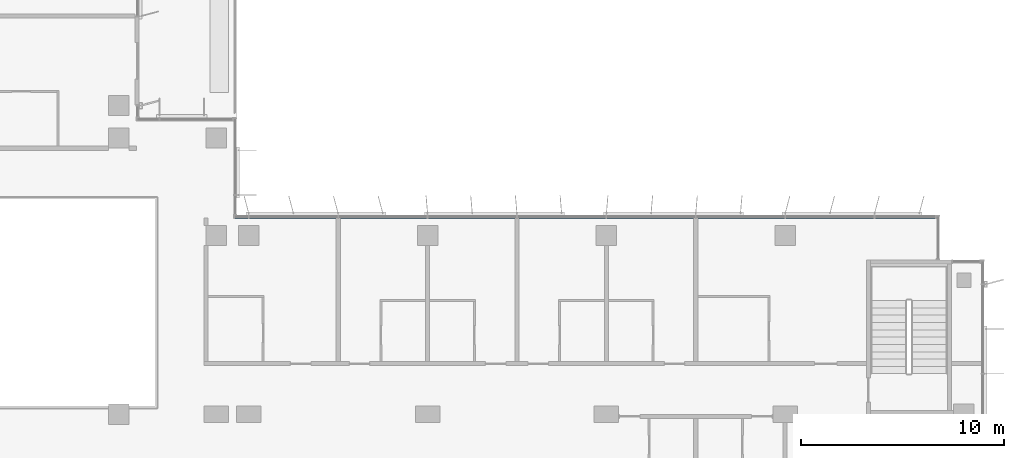
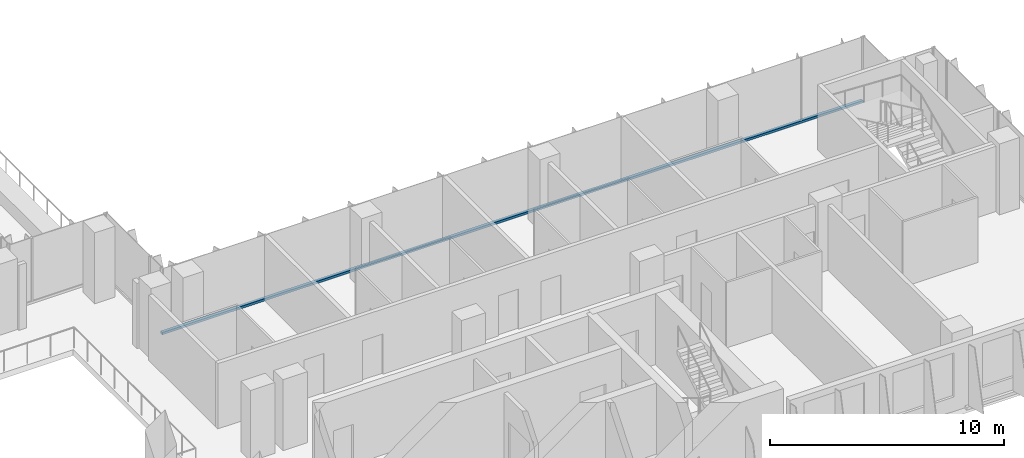
# One storey, part 3 of 22: 1 member, 1 element without a shape of its own.
"""IFC4 building model written with IfcOpenShell, lengths in metres."""

from ifc_helpers import new_model, si_unit, direction, frame, origin, origin_2d, place, context, subcontext, project, spatial, rectangle, extrude, material, material_profile, profile_set, type_object, element, aggregate, save


model = new_model("IFC4")

# Units and contexts
model_context = context("Model", 3, precision=1e-05, world=origin(), true_north=direction((0.0, 1.0)))
body_context = subcontext(model_context, "Body", "Model", "MODEL_VIEW")
ifc_project = project(units=[si_unit("LENGTHUNIT", "METRE"), si_unit("AREAUNIT", "SQUARE_METRE"), si_unit("VOLUMEUNIT", "CUBIC_METRE"), si_unit("PLANEANGLEUNIT", "RADIAN"), si_unit("MASSUNIT", "GRAM", prefix="KILO")], contexts=[model_context])

# Site, building, storey
site_placement = place(None, origin())
site = spatial("IfcSite", under=ifc_project, at=site_placement, CompositionType="ELEMENT")
building_placement = place(site_placement, origin())
building = spatial("IfcBuilding", under=site, at=building_placement, Name="Kemantara Hotel Tower", CompositionType="ELEMENT")
storey_placement = place(building_placement, frame((0.0, 0.0, 153.10009765625)))
storey = spatial("IfcBuildingStorey", under=building, at=storey_placement, Name="L37", CompositionType="ELEMENT", Elevation=153.10009765625)

# Curtain wall, member
ifc_material_1 = material(Name="Low-E tinted double insulated glass 36 mm", Category="glass")
curtain_wall_type = type_object("IfcCurtainWallType", Name="TOWER CURTAIN WALL, FRONT FACES", PredefinedType="USERDEFINED", material=ifc_material_1)
curtain_wall_placement = place(storey_placement, origin())
curtain_wall = element("IfcCurtainWall", 1, at=curtain_wall_placement, inside=storey, type_object=curtain_wall_type, Name="CW4 L37 T3-R14-1", ObjectType="TOWER CURTAIN WALL, FRONT FACES", PredefinedType="USERDEFINED")
ifc_material_2 = material(Name="Aluminium 6063-T6 bronze anodised", Category="aluminium")
ifc_material_profile = material_profile(ifc_material_2, rectangle(XDim=0.14990234375, YDim=0.1201171875, at=origin_2d()), Name="TOWER CURTAIN WALL, FRONT FACES TRANSOM")
ifc_profile_set = profile_set([ifc_material_profile], Name="Aluminium 6063-T6 bronze anodised")
member_type = type_object("IfcMemberType", Name="TOWER CURTAIN WALL, FRONT FACES TRANSOM", PredefinedType="USERDEFINED", material=ifc_profile_set)
member_placement = place(storey_placement, frame((61.25, 21.925048828125, 0.059814453125), z_axis=(-1.0, 0.0, 0.0), x_axis=(0.0, -1.0, 0.0)))
member = element("IfcMember", 2, at=member_placement, type_object=member_type, Name="CW4 sill transom T3-R14-1", ObjectType="TRANSOM", PredefinedType="USERDEFINED", context=body_context, shape_type="SweptSolid", body=[
    extrude(rectangle(XDim=0.14990234375, YDim=0.1201171875, at=origin_2d()), origin(), (0.0, 0.0, 1.0), 34.60009765625),
])
aggregate(curtain_wall, [member])

save(model, "model.ifc")
